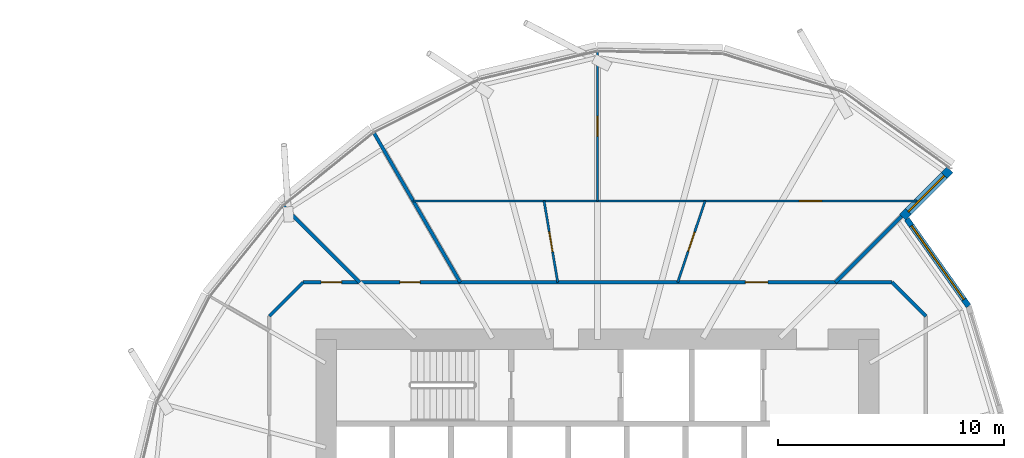
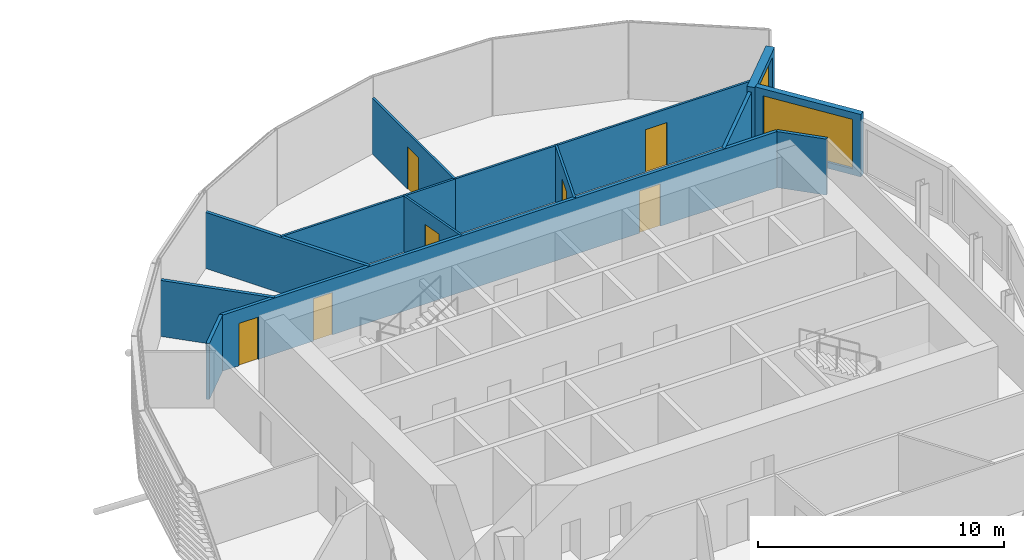
# One storey, part 24 of 36: 13 walls, 7 doors, 2 windows, 9 openings.
"""IFC4 building model written with IfcOpenShell, lengths in metres."""

import ifcopenshell
import ifcopenshell.guid

model = None  # the IFC model being written
_history = None  # IfcOwnerHistory: only IFC2X3 demands one
_inside = {}  # id of a spatial element -> (the spatial element, [elements in it])
_under = {}  # id of a project, library or spatial element -> (it, [spatial elements below it])
_declared = {}  # id of a project -> (the project, [libraries it declares])
_typed = {}  # id of a type object -> (the type object, [elements of that type])
_made_of = {}  # id of a material, layer set ... -> (it, [elements and type objects made of it])


def new_model(schema):
    """Start an empty IFC model of exactly this schema.

    Asked for "IFC4X3", IfcOpenShell would pick the latest addendum, in which some entities
    have other attributes; the version numbers below select the first issue.
    IFC2X3 requires an IfcOwnerHistory on every rooted entity: one is made here for all.
    """
    global model, _history
    if schema == "IFC4X3":
        model = ifcopenshell.file(schema_version=(4, 3, 0, 0))
    else:
        model = ifcopenshell.file(schema=schema)
    _inside.clear()
    _under.clear()
    _declared.clear()
    _typed.clear()
    _made_of.clear()
    _history = None
    if model.schema == "IFC2X3":
        org = make("IfcOrganization", Name="unknown")
        user = make(
            "IfcPersonAndOrganization",
            ThePerson=make("IfcPerson", FamilyName="unknown"),
            TheOrganization=org,
        )
        app = make(
            "IfcApplication",
            ApplicationDeveloper=org,
            Version="unknown",
            ApplicationFullName="unknown",
            ApplicationIdentifier="unknown",
        )
        _history = make(
            "IfcOwnerHistory",
            OwningUser=user,
            OwningApplication=app,
            ChangeAction="ADDED",
            CreationDate=0,
        )
    return model


def make(cls, **values):
    """One entity of the class cls with the attributes given. An attribute that is None is left unset."""
    return model.create_entity(
        cls, **{name: value for name, value in values.items() if value is not None}
    )


def rooted(cls, **values):
    """An entity with a GlobalId (a new one), such as an element, a storey or a relation."""
    return make(cls, GlobalId=ifcopenshell.guid.new(), OwnerHistory=_history, **values)


def si_unit(unit_type, name, prefix=None):
    """IfcSIUnit, for example si_unit("LENGTHUNIT", "METRE", prefix="MILLI")."""
    return make("IfcSIUnit", UnitType=unit_type, Prefix=prefix, Name=name)


def assignment(units):
    """IfcUnitAssignment: the units of a project."""
    return None if units is None else make("IfcUnitAssignment", Units=units)


def point(xyz):
    """IfcCartesianPoint."""
    return None if xyz is None else make("IfcCartesianPoint", Coordinates=xyz)


def direction(xyz):
    """IfcDirection."""
    return None if xyz is None else make("IfcDirection", DirectionRatios=xyz)


def frame(location, z_axis=None, x_axis=None):
    """IfcAxis2Placement3D, a coordinate frame: its origin and axes. An axis left out is left unset."""
    return make(
        "IfcAxis2Placement3D",
        Location=point(location),
        Axis=direction(z_axis),
        RefDirection=direction(x_axis),
    )


def frame_2d(location, x_axis=None):
    """IfcAxis2Placement2D, a coordinate frame in the plane: its origin and x axis."""
    return make(
        "IfcAxis2Placement2D", Location=point(location), RefDirection=direction(x_axis)
    )


def origin():
    """The frame at (0, 0, 0) with its axes left unset."""
    return frame((0.0, 0.0, 0.0))


def place(relative_to, where):
    """IfcLocalPlacement: puts the frame where relative to a parent placement (None: the world)."""
    return make(
        "IfcLocalPlacement", PlacementRelTo=relative_to, RelativePlacement=where
    )


def context(
    kind, dimensions, precision=None, world=None, true_north=None, identifier=None
):
    """IfcGeometricRepresentationContext, for example the 3D "Model" context."""
    return make(
        "IfcGeometricRepresentationContext",
        ContextIdentifier=identifier,
        ContextType=kind,
        CoordinateSpaceDimension=dimensions,
        Precision=precision,
        WorldCoordinateSystem=world,
        TrueNorth=true_north,
    )


def subcontext(parent, identifier, kind, view, scale=None):
    """IfcGeometricRepresentationSubContext, for example "Body" below "Model"."""
    return make(
        "IfcGeometricRepresentationSubContext",
        ContextIdentifier=identifier,
        ContextType=kind,
        ParentContext=parent,
        TargetScale=scale,
        TargetView=view,
    )


def project(units=None, contexts=None):
    """IfcProject with its units and contexts."""
    return rooted(
        "IfcProject",
        Name="project",
        RepresentationContexts=contexts,
        UnitsInContext=assignment(units),
    )


def spatial(cls, under=None, at=None, **own):
    """A site, building, storey or space (cls), placed at a placement, below another one or the project."""
    s = rooted(cls, ObjectPlacement=at, **own)
    if under is not None:
        _under.setdefault(under.id(), (under, []))[1].append(s)
    return s


def profile(cls, at=None, kind="AREA", **sizes):
    """A parametric profile (cls). Its sizes go by their IFC names, for example OverallWidth=200.0."""
    return make(cls, ProfileType=kind, Position=at, **sizes)


def rectangle(**sizes):
    """IfcRectangleProfileDef."""
    return profile("IfcRectangleProfileDef", **sizes)


def extrude(swept, where, along, depth):
    """IfcExtrudedAreaSolid: the profile swept, set in the frame where, extruded along a direction by depth."""
    return make(
        "IfcExtrudedAreaSolid",
        SweptArea=swept,
        Position=where,
        ExtrudedDirection=direction(along),
        Depth=depth,
    )


def shape(context_of_items, identifier, shape_type, items):
    """IfcShapeRepresentation: the items that make up one representation, for example the "Body"."""
    return make(
        "IfcShapeRepresentation",
        ContextOfItems=context_of_items,
        RepresentationIdentifier=identifier,
        RepresentationType=shape_type,
        Items=items,
    )


def material(Name=None, Category=None):
    """IfcMaterial."""
    return make("IfcMaterial", Name=Name, Category=Category)


def layer(
    of_material, thickness, ventilated=None, Name=None, Category=None, Priority=None
):
    """IfcMaterialLayer: one layer of a wall or slab, of a material (None: an air gap)."""
    return make(
        "IfcMaterialLayer",
        Material=of_material,
        LayerThickness=thickness,
        IsVentilated=ventilated,
        Name=Name,
        Category=Category,
        Priority=Priority,
    )


def layer_set(layers, Name=None):
    """IfcMaterialLayerSet."""
    return make("IfcMaterialLayerSet", MaterialLayers=layers, LayerSetName=Name)


def made_of(thing, what):
    """Note that an element or type object is made of a material, layer set ...; save() writes the relation."""
    if what is not None:
        _made_of.setdefault(what.id(), (what, []))[1].append(thing)
    return thing


def type_object(cls, material=None, **own):
    """A type object (cls), such as IfcWallType, which elements share."""
    return made_of(rooted(cls, **own), material)


def element(
    cls,
    number,
    at=None,
    inside=None,
    cuts=None,
    type_object=None,
    material=None,
    context=None,
    identifier="Body",
    shape_type=None,
    held_by="IfcProductDefinitionShape",
    body=None,
    shapes=None,
    **own,
):
    """One element of the class cls, such as IfcWall. Its Tag is "e" and its number.

    at: its placement. inside: the storey or other place that contains it. cuts: it is an
    opening in that element (IfcRelVoidsElement). A single representation is given by context,
    identifier, shape_type and body (its items); several are given by shapes. held_by: the class
    of the entity that holds the representations. save() writes the other relations.
    """
    e = rooted(cls, Tag="e%d" % number, ObjectPlacement=at, **own)
    if body is not None:
        shapes = [shape(context, identifier, shape_type, body)]
    if shapes is not None:
        e.Representation = make(held_by, Representations=shapes)
    if inside is not None:
        _inside.setdefault(inside.id(), (inside, []))[1].append(e)
    if cuts is not None:
        rooted(
            "IfcRelVoidsElement", RelatingBuildingElement=cuts, RelatedOpeningElement=e
        )
    if type_object is not None:
        _typed.setdefault(type_object.id(), (type_object, []))[1].append(e)
    return made_of(e, material)


def fill(opening, filler):
    """IfcRelFillsElement: the door or window that sits in an opening."""
    return rooted(
        "IfcRelFillsElement",
        RelatingOpeningElement=opening,
        RelatedBuildingElement=filler,
    )


def aggregate(whole, parts):
    """IfcRelAggregates: a whole, such as a stair, and the parts it consists of."""
    return rooted("IfcRelAggregates", RelatingObject=whole, RelatedObjects=parts)


def save(model, path):
    """Write the relations noted so far, then the file.

    IfcRelAggregates (storeys below a building ...), IfcRelContainedInSpatialStructure (elements
    in a storey), IfcRelDefinesByType, IfcRelAssociatesMaterial and IfcRelDeclares: one each for
    every whole, place, type object, material and project.
    """
    for whole, parts in _under.values():
        aggregate(whole, parts)
    for where, things in _inside.values():
        rooted(
            "IfcRelContainedInSpatialStructure",
            RelatedElements=things,
            RelatingStructure=where,
        )
    for kind, things in _typed.values():
        rooted("IfcRelDefinesByType", RelatedObjects=things, RelatingType=kind)
    for what, things in _made_of.values():
        rooted("IfcRelAssociatesMaterial", RelatedObjects=things, RelatingMaterial=what)
    for by, libraries in _declared.values():
        rooted("IfcRelDeclares", RelatingContext=by, RelatedDefinitions=libraries)
    model.write(path)


model = new_model("IFC4")

# Units and contexts
model_context = context("Model", 3, precision=1e-05, world=origin(), true_north=direction((0.0, 1.0)))
body_context = subcontext(model_context, "Body", "Model", "MODEL_VIEW")
ifc_project = project(units=[si_unit("LENGTHUNIT", "METRE"), si_unit("AREAUNIT", "SQUARE_METRE"), si_unit("VOLUMEUNIT", "CUBIC_METRE"), si_unit("PLANEANGLEUNIT", "RADIAN"), si_unit("MASSUNIT", "GRAM", prefix="KILO")], contexts=[model_context])

# Site, building, storey
site_placement = place(None, origin())
site = spatial("IfcSite", under=ifc_project, at=site_placement, CompositionType="ELEMENT")
building_placement = place(site_placement, origin())
building = spatial("IfcBuilding", under=site, at=building_placement, Name="Rimbun Link Towers", CompositionType="ELEMENT")
storey_placement = place(building_placement, frame((0.0, 0.0, 37.60009765625)))
storey = spatial("IfcBuildingStorey", under=building, at=storey_placement, Name="L08", CompositionType="ELEMENT", Elevation=37.60009765625)

# Wall, opening, window
ifc_material_1 = material(Name="Dark enamelled glass spandrel on insulated aluminium backpan", Category="aluminium")
ifc_layer_1 = layer(ifc_material_1, 0.25)
ifc_layer_set_1 = layer_set([ifc_layer_1], Name="CS dark enamelled spandrel wall 250")
wall_type_1 = type_object("IfcWallType", Name="CS dark enamelled spandrel wall 250", PredefinedType="STANDARD", material=ifc_layer_set_1)
wall_1_placement = place(storey_placement, frame((45.430419921875, 13.326904296875, 0.0), z_axis=(0.0, 0.0, 1.0), x_axis=(0.578853291803, -0.815431705643, 0.0)))
wall_1 = element("IfcWall", 1, at=wall_1_placement, inside=storey, type_object=wall_type_1, Name="Crease spandrel wall", PredefinedType="STANDARD", context=body_context, shape_type="SweptSolid", body=[
    extrude(rectangle(XDim=4.73046875, YDim=0.25, at=frame_2d((2.365234375, 0.0))), origin(), (0.0, 0.0, 1.0), 3.0966796875),
])
opening_1_placement = place(wall_1_placement, frame((0.365234375, 0.0, 0.300048828125)))
opening_1 = element("IfcOpeningElement", 2, at=opening_1_placement, cuts=wall_1, Name="Opening WR40H245", PredefinedType="OPENING", context=body_context, shape_type="SweptSolid", body=[
    extrude(rectangle(XDim=4.0, YDim=2.449951171875, at=frame_2d((2.0, 1.22509765625))), frame((0.0, 0.135009765625, 0.0), z_axis=(0.0, -1.0, 0.0), x_axis=(1.0, 0.0, 0.0)), (0.0, 0.0, 1.0), 0.27001953125),
])
ifc_material_2 = material(Name="Aluminium framed fixed window, dark tinted low-e glass", Category="aluminium")
window_type_1 = type_object("IfcWindowType", Name="WR ribbon window 4000X2450", PartitioningType="SINGLE_PANEL", PredefinedType="WINDOW", material=ifc_material_2)
window_1_placement = place(opening_1_placement, origin())
window_1 = element("IfcWindow", 3, at=window_1_placement, inside=storey, type_object=window_type_1, Name="Crease ribbon window", OverallHeight=2.449951171875, OverallWidth=4.0, PartitioningType="SINGLE_PANEL", PredefinedType="WINDOW", context=body_context, shape_type="SweptSolid", body=[
    extrude(rectangle(XDim=4.0, YDim=2.449951171875, at=frame_2d((2.0, 1.22509765625))), frame((0.0, 0.030029296875, 0.0), z_axis=(0.0, -1.0, 0.0), x_axis=(1.0, 0.0, 0.0)), (0.0, 0.0, 1.0), 0.06005859375),
])
fill(opening_1, window_1)

ifc_material_3 = material(Name="Dark enamelled glass spandrel on insulated aluminium backpan", Category="aluminium")
ifc_layer_2 = layer(ifc_material_3, 0.3701171875)
ifc_layer_set_2 = layer_set([ifc_layer_2], Name="CS dark enamelled spandrel wall 370")
wall_type_2 = type_object("IfcWallType", Name="CS dark enamelled spandrel wall 370", PredefinedType="STANDARD", material=ifc_layer_set_2)
wall_2_placement = place(storey_placement, frame((47.34716796875, 15.505126953125, 0.0), z_axis=(0.0, 0.0, 1.0), x_axis=(-0.707106781187, -0.707106781187, 0.0)))
wall_2 = element("IfcWall", 4, at=wall_2_placement, inside=storey, type_object=wall_type_2, Name="Crease spandrel wall", PredefinedType="STANDARD", context=body_context, shape_type="SweptSolid", body=[
    extrude(rectangle(XDim=2.97998046875, YDim=0.3701171875, at=frame_2d((1.489990234375, 0.0))), origin(), (0.0, 0.0, 1.0), 3.02734375),
])
opening_2_placement = place(wall_2_placement, frame((0.364990234375, 0.0, 0.300048828125)))
opening_2 = element("IfcOpeningElement", 5, at=opening_2_placement, cuts=wall_2, Name="Opening WR22H245", PredefinedType="OPENING", context=body_context, shape_type="SweptSolid", body=[
    extrude(rectangle(XDim=2.25, YDim=2.449951171875, at=frame_2d((1.125, 1.22509765625))), frame((0.0, 0.195068359375, 0.0), z_axis=(0.0, -1.0, 0.0), x_axis=(1.0, 0.0, 0.0)), (0.0, 0.0, 1.0), 0.39013671875),
])
ifc_material_4 = material(Name="Aluminium framed fixed window, dark tinted low-e glass", Category="aluminium")
window_type_2 = type_object("IfcWindowType", Name="WR ribbon window 2250X2450", PartitioningType="SINGLE_PANEL", PredefinedType="WINDOW", material=ifc_material_4)
window_2_placement = place(opening_2_placement, origin())
window_2 = element("IfcWindow", 6, at=window_2_placement, inside=storey, type_object=window_type_2, Name="Crease ribbon window", OverallHeight=2.449951171875, OverallWidth=2.25, PartitioningType="SINGLE_PANEL", PredefinedType="WINDOW", context=body_context, shape_type="SweptSolid", body=[
    extrude(rectangle(XDim=2.25, YDim=2.449951171875, at=frame_2d((1.125, 1.22509765625))), frame((0.0, 0.030029296875, 0.0), z_axis=(0.0, -1.0, 0.0), x_axis=(1.0, 0.0, 0.0)), (0.0, 0.0, 1.0), 0.06005859375),
])
fill(opening_2, window_2)

# Wall, openings, doors
ifc_material_5 = material(Name="Plasterboard on steel stud, mineral wool", Category="steel")
ifc_layer_3 = layer(ifc_material_5, 0.14990234375)
ifc_layer_set_3 = layer_set([ifc_layer_3], Name="Corridor wall EI 30 150 mm")
wall_type_3 = type_object("IfcWallType", Name="Corridor wall EI 30 150 mm", PredefinedType="PARTITIONING", material=ifc_layer_set_3)
wall_3_placement = place(storey_placement, frame((18.723388671875, 10.52490234375, 0.0), z_axis=(0.0, 0.0, 1.0), x_axis=(1.0, 0.0, 0.0)))
wall_3 = element("IfcWall", 7, at=wall_3_placement, inside=storey, type_object=wall_type_3, Name="Corridor wall EI 30 150 mm", PredefinedType="PARTITIONING", context=body_context, shape_type="SweptSolid", body=[
    extrude(rectangle(XDim=26.05322265625, YDim=0.14990234375, at=frame_2d((13.026611328125, 0.0))), origin(), (0.0, 0.0, 1.0), 2.77880859375),
])
opening_3_placement = place(wall_3_placement, frame((19.5625, 0.0, 0.0)))
opening_3 = element("IfcOpeningElement", 8, at=opening_3_placement, cuts=wall_3, Name="Opening D01", PredefinedType="OPENING", context=body_context, shape_type="SweptSolid", body=[
    extrude(rectangle(XDim=1.0, YDim=2.10009765625, at=frame_2d((0.5, 1.050048828125))), frame((0.0, 0.0849609375, 0.0), z_axis=(0.0, -1.0, 0.0), x_axis=(1.0, 0.0, 0.0)), (0.0, 0.0, 1.0), 0.169921875),
])
opening_4_placement = place(wall_3_placement, frame((4.27587890625, 0.0, 0.0)))
opening_4 = element("IfcOpeningElement", 9, at=opening_4_placement, cuts=wall_3, Name="Opening D02", PredefinedType="OPENING", context=body_context, shape_type="SweptSolid", body=[
    extrude(rectangle(XDim=0.89990234375, YDim=2.10009765625, at=frame_2d((0.449951171875, 1.050048828125))), frame((0.0, 0.0849609375, 0.0), z_axis=(0.0, -1.0, 0.0), x_axis=(1.0, 0.0, 0.0)), (0.0, 0.0, 1.0), 0.169921875),
])
opening_5_placement = place(wall_3_placement, frame((0.80078125, 0.0, 0.0)))
opening_5 = element("IfcOpeningElement", 10, at=opening_5_placement, cuts=wall_3, Name="Opening D02", PredefinedType="OPENING", context=body_context, shape_type="SweptSolid", body=[
    extrude(rectangle(XDim=0.89990234375, YDim=2.10009765625, at=frame_2d((0.449951171875, 1.050048828125))), frame((0.0, 0.0849609375, 0.0), z_axis=(0.0, -1.0, 0.0), x_axis=(1.0, 0.0, 0.0)), (0.0, 0.0, 1.0), 0.169921875),
])
ifc_material_6 = material(Name="Fire-resisting timber door leaf", Category="wood")
door_type_1 = type_object("IfcDoorType", Name="Fire door FD30S 1000", OperationType="NOTDEFINED", PredefinedType="DOOR", material=ifc_material_6)
door_1_placement = place(opening_3_placement, origin())
door_1 = element("IfcDoor", 11, at=door_1_placement, inside=storey, type_object=door_type_1, Name="Fire door FD30S 1000 to Reception", OperationType="SINGLE_SWING_LEFT", OverallHeight=2.10009765625, OverallWidth=1.0, PredefinedType="DOOR", context=body_context, shape_type="SweptSolid", body=[
    extrude(rectangle(XDim=1.0, YDim=2.10009765625, at=frame_2d((0.5, 1.050048828125))), frame((0.0, 0.02490234375, 0.0), z_axis=(0.0, -1.0, 0.0), x_axis=(1.0, 0.0, 0.0)), (0.0, 0.0, 1.0), 0.050048828125),
])
fill(opening_3, door_1)
ifc_material_7 = material(Name="Fire-resisting timber door leaf", Category="wood")
door_type_2 = type_object("IfcDoorType", Name="Fire door FD30S 900", OperationType="NOTDEFINED", PredefinedType="DOOR", material=ifc_material_7)
door_2_placement = place(opening_4_placement, origin())
door_2 = element("IfcDoor", 12, at=door_2_placement, inside=storey, type_object=door_type_2, Name="Fire door FD30S 900 to Print room", OperationType="SINGLE_SWING_RIGHT", OverallHeight=2.10009765625, OverallWidth=0.89990234375, PredefinedType="DOOR", context=body_context, shape_type="SweptSolid", body=[
    extrude(rectangle(XDim=0.89990234375, YDim=2.10009765625, at=frame_2d((0.449951171875, 1.050048828125))), frame((0.0, 0.02490234375, 0.0), z_axis=(0.0, -1.0, 0.0), x_axis=(1.0, 0.0, 0.0)), (0.0, 0.0, 1.0), 0.050048828125),
])
fill(opening_4, door_2)
door_3_placement = place(opening_5_placement, origin())
door_3 = element("IfcDoor", 13, at=door_3_placement, inside=storey, type_object=door_type_2, Name="Fire door FD30S 900 to Cellular office", OperationType="SINGLE_SWING_LEFT", OverallHeight=2.10009765625, OverallWidth=0.89990234375, PredefinedType="DOOR", context=body_context, shape_type="SweptSolid", body=[
    extrude(rectangle(XDim=0.89990234375, YDim=2.10009765625, at=frame_2d((0.449951171875, 1.050048828125))), frame((0.0, 0.02490234375, 0.0), z_axis=(0.0, -1.0, 0.0), x_axis=(1.0, 0.0, 0.0)), (0.0, 0.0, 1.0), 0.050048828125),
])
fill(opening_5, door_3)

# Walls
for number, where, z_axis, x_axis, name in (
    (14, (46.27490234375, 9.026611328125, 0.0), (0.0, 0.0, 1.0), (-0.707106781187, 0.707106781187, 0.0), "Corridor wall EI 30 150 mm"),
    (15, (18.723388671875, 10.52490234375, 0.0), (0.0, 0.0, 1.0), (-0.707106781187, -0.707106781187, 0.0), "Corridor wall EI 30 150 mm"),
):
    element("IfcWall", number, at=place(storey_placement, frame(where, z_axis=z_axis, x_axis=x_axis)), inside=storey, type_object=wall_type_3, Name=name, PredefinedType="PARTITIONING", context=body_context, shape_type="SweptSolid", body=[
        extrude(rectangle(XDim=2.118896484375, YDim=0.14990234375, at=frame_2d((1.0595703125, 0.0))), origin(), (0.0, 0.0, 1.0), 2.77880859375),
    ])

# Wall, opening, door
ifc_material_8 = material(Name="Plasterboard on steel stud", Category="steel")
ifc_layer_4 = layer(ifc_material_8, 0.10009765625)
ifc_layer_set_4 = layer_set([ifc_layer_4], Name="Plasterboard partition 100 mm")
wall_type_4 = type_object("IfcWallType", Name="Plasterboard partition 100 mm", PredefinedType="PARTITIONING", material=ifc_layer_set_4)
wall_4_placement = place(storey_placement, frame((35.29638671875, 10.52490234375, 0.0), z_axis=(0.0, 0.0, 1.0), x_axis=(0.319330046256, 0.947643562506, 0.0)))
wall_4 = element("IfcWall", 16, at=wall_4_placement, inside=storey, type_object=wall_type_4, Name="Plasterboard partition 100 mm", PredefinedType="PARTITIONING", context=body_context, shape_type="SweptSolid", body=[
    extrude(rectangle(XDim=3.799072265625, YDim=0.10009765625, at=frame_2d((1.8994140625, 0.0))), origin(), (0.0, 0.0, 1.0), 2.77880859375),
])
opening_6_placement = place(wall_4_placement, frame((1.449462890625, 0.0, 0.0)))
opening_6 = element("IfcOpeningElement", 17, at=opening_6_placement, cuts=wall_4, Name="Opening D04", PredefinedType="OPENING", context=body_context, shape_type="SweptSolid", body=[
    extrude(rectangle(XDim=0.89990234375, YDim=2.10009765625, at=frame_2d((0.449951171875, 1.050048828125))), frame((0.0, 0.06005859375, 0.0), z_axis=(0.0, -1.0, 0.0), x_axis=(1.0, 0.0, 0.0)), (0.0, 0.0, 1.0), 0.1201171875),
])
ifc_material_9 = material(Name="Timber door leaf", Category="wood")
door_type_3 = type_object("IfcDoorType", Name="Flush door 900", OperationType="NOTDEFINED", PredefinedType="DOOR", material=ifc_material_9)
door_4_placement = place(opening_6_placement, origin())
door_4 = element("IfcDoor", 18, at=door_4_placement, inside=storey, type_object=door_type_3, Name="Flush door 900 to Meeting room", OperationType="SINGLE_SWING_LEFT", OverallHeight=2.10009765625, OverallWidth=0.89990234375, PredefinedType="DOOR", context=body_context, shape_type="SweptSolid", body=[
    extrude(rectangle(XDim=0.89990234375, YDim=2.10009765625, at=frame_2d((0.449951171875, 1.050048828125))), frame((0.0, 0.02490234375, 0.0), z_axis=(0.0, -1.0, 0.0), x_axis=(1.0, 0.0, 0.0)), (0.0, 0.0, 1.0), 0.050048828125),
])
fill(opening_6, door_4)

wall_5_placement = place(storey_placement, frame((31.75, 14.125, 0.0), z_axis=(0.0, 0.0, 1.0), x_axis=(1.0, 0.0, 0.0)))
wall_5 = element("IfcWall", 19, at=wall_5_placement, inside=storey, type_object=wall_type_4, Name="Plasterboard partition 100 mm", PredefinedType="PARTITIONING", context=body_context, shape_type="SweptSolid", body=[
    extrude(rectangle(XDim=14.125, YDim=0.10009765625, at=frame_2d((7.0625, 0.0))), origin(), (0.0, 0.0, 1.0), 2.77880859375),
])
opening_7_placement = place(wall_5_placement, frame((8.926513671875, 0.0, 0.0)))
opening_7 = element("IfcOpeningElement", 20, at=opening_7_placement, cuts=wall_5, Name="Opening D03", PredefinedType="OPENING", context=body_context, shape_type="SweptSolid", body=[
    extrude(rectangle(XDim=1.0, YDim=2.10009765625, at=frame_2d((0.5, 1.050048828125))), frame((0.0, 0.06005859375, 0.0), z_axis=(0.0, -1.0, 0.0), x_axis=(1.0, 0.0, 0.0)), (0.0, 0.0, 1.0), 0.1201171875),
])
ifc_material_10 = material(Name="Timber door leaf", Category="wood")
door_type_4 = type_object("IfcDoorType", Name="Flush door 1000", OperationType="NOTDEFINED", PredefinedType="DOOR", material=ifc_material_10)
door_5_placement = place(opening_7_placement, origin())
door_5 = element("IfcDoor", 21, at=door_5_placement, inside=storey, type_object=door_type_4, Name="Flush door 1000 to Co-working space", OperationType="SINGLE_SWING_RIGHT", OverallHeight=2.10009765625, OverallWidth=1.0, PredefinedType="DOOR", context=body_context, shape_type="SweptSolid", body=[
    extrude(rectangle(XDim=1.0, YDim=2.10009765625, at=frame_2d((0.5, 1.050048828125))), frame((0.0, 0.02490234375, 0.0), z_axis=(0.0, -1.0, 0.0), x_axis=(1.0, 0.0, 0.0)), (0.0, 0.0, 1.0), 0.050048828125),
])
fill(opening_7, door_5)

wall_6_placement = place(storey_placement, frame((29.9873046875, 10.52490234375, 0.0), z_axis=(0.0, 0.0, 1.0), x_axis=(-0.165136472475, 0.98627072625, 0.0)))
wall_6 = element("IfcWall", 22, at=wall_6_placement, inside=storey, type_object=wall_type_4, Name="Plasterboard partition 100 mm", PredefinedType="PARTITIONING", context=body_context, shape_type="SweptSolid", body=[
    extrude(rectangle(XDim=3.650146484375, YDim=0.10009765625, at=frame_2d((1.8251953125, 0.0))), origin(), (0.0, 0.0, 1.0), 2.77880859375),
])
opening_8_placement = place(wall_6_placement, frame((1.375, 0.0, 0.0)))
opening_8 = element("IfcOpeningElement", 23, at=opening_8_placement, cuts=wall_6, Name="Opening D04", PredefinedType="OPENING", context=body_context, shape_type="SweptSolid", body=[
    extrude(rectangle(XDim=0.89990234375, YDim=2.10009765625, at=frame_2d((0.449951171875, 1.050048828125))), frame((0.0, 0.06005859375, 0.0), z_axis=(0.0, -1.0, 0.0), x_axis=(1.0, 0.0, 0.0)), (0.0, 0.0, 1.0), 0.1201171875),
])
door_6_placement = place(opening_8_placement, origin())
door_6 = element("IfcDoor", 24, at=door_6_placement, inside=storey, type_object=door_type_3, Name="Flush door 900 to Pantry", OperationType="SINGLE_SWING_RIGHT", OverallHeight=2.10009765625, OverallWidth=0.89990234375, PredefinedType="DOOR", context=body_context, shape_type="SweptSolid", body=[
    extrude(rectangle(XDim=0.89990234375, YDim=2.10009765625, at=frame_2d((0.449951171875, 1.050048828125))), frame((0.0, 0.02490234375, 0.0), z_axis=(0.0, -1.0, 0.0), x_axis=(1.0, 0.0, 0.0)), (0.0, 0.0, 1.0), 0.050048828125),
])
fill(opening_8, door_6)

# Wall
wall_7_placement = place(storey_placement, frame((31.75, 14.125, 0.0), z_axis=(0.0, 0.0, 1.0), x_axis=(-1.0, 0.0, 0.0)))
element("IfcWall", 25, at=wall_7_placement, inside=storey, type_object=wall_type_4, Name="Plasterboard partition 100 mm", PredefinedType="PARTITIONING", context=body_context, shape_type="SweptSolid", body=[
    extrude(rectangle(XDim=8.155029296875, YDim=0.10009765625, at=frame_2d((4.07763671875, 0.0))), origin(), (0.0, 0.0, 1.0), 2.77880859375),
])

# Wall, opening, door
wall_8_placement = place(storey_placement, frame((31.75, 14.125, 0.0), z_axis=(0.0, 0.0, 1.0), x_axis=(0.0, 1.0, 0.0)))
wall_8 = element("IfcWall", 26, at=wall_8_placement, inside=storey, type_object=wall_type_4, Name="Plasterboard partition 100 mm", PredefinedType="PARTITIONING", context=body_context, shape_type="SweptSolid", body=[
    extrude(rectangle(XDim=6.6083984375, YDim=0.10009765625, at=frame_2d((3.30419921875, 0.0))), origin(), (0.0, 0.0, 1.0), 2.77880859375),
])
opening_9_placement = place(wall_8_placement, frame((2.854248046875, 0.0, 0.0)))
opening_9 = element("IfcOpeningElement", 27, at=opening_9_placement, cuts=wall_8, Name="Opening D04", PredefinedType="OPENING", context=body_context, shape_type="SweptSolid", body=[
    extrude(rectangle(XDim=0.89990234375, YDim=2.10009765625, at=frame_2d((0.449951171875, 1.050048828125))), frame((0.0, 0.06005859375, 0.0), z_axis=(0.0, -1.0, 0.0), x_axis=(1.0, 0.0, 0.0)), (0.0, 0.0, 1.0), 0.1201171875),
])
door_7_placement = place(opening_9_placement, origin())
door_7 = element("IfcDoor", 28, at=door_7_placement, inside=storey, type_object=door_type_3, Name="Flush door 900 to Serviced office", OperationType="SINGLE_SWING_LEFT", OverallHeight=2.10009765625, OverallWidth=0.89990234375, PredefinedType="DOOR", context=body_context, shape_type="SweptSolid", body=[
    extrude(rectangle(XDim=0.89990234375, YDim=2.10009765625, at=frame_2d((0.449951171875, 1.050048828125))), frame((0.0, 0.02490234375, 0.0), z_axis=(0.0, -1.0, 0.0), x_axis=(1.0, 0.0, 0.0)), (0.0, 0.0, 1.0), 0.050048828125),
])
fill(opening_9, door_7)

# Walls
ifc_material_11 = material(Name="Plasterboard on steel stud, mineral wool", Category="steel")
ifc_layer_5 = layer(ifc_material_11, 0.14990234375)
ifc_layer_set_5 = layer_set([ifc_layer_5], Name="Tenancy separation wall EI 60 150 mm")
wall_type_5 = type_object("IfcWallType", Name="Tenancy separation wall EI 60 150 mm", PredefinedType="PARTITIONING", material=ifc_layer_set_5)
wall_9_placement = place(storey_placement, frame((42.27490234375, 10.52490234375, 0.0), z_axis=(0.0, 0.0, 1.0), x_axis=(0.707106781187, 0.707106781187, 0.0)))
element("IfcWall", 29, at=wall_9_placement, inside=storey, type_object=wall_type_5, Name="Tenancy separation wall EI 60 150 mm", PredefinedType="PARTITIONING", context=body_context, shape_type="SweptSolid", body=[
    extrude(rectangle(XDim=4.12841796875, YDim=0.14990234375, at=frame_2d((2.064208984375, 0.0))), origin(), (0.0, 0.0, 1.0), 2.77880859375),
])
wall_10_placement = place(storey_placement, frame((25.67333984375, 10.52490234375, 0.0), z_axis=(0.0, 0.0, 1.0), x_axis=(-0.499997376803, 0.866026918282, 0.0)))
element("IfcWall", 30, at=wall_10_placement, inside=storey, type_object=wall_type_5, Name="Tenancy separation wall EI 60 150 mm", PredefinedType="PARTITIONING", context=body_context, shape_type="SweptSolid", body=[
    extrude(rectangle(XDim=7.6357421875, YDim=0.14990234375, at=frame_2d((3.81787109375, 0.0))), origin(), (0.0, 0.0, 1.0), 2.77880859375),
])
wall_11_placement = place(storey_placement, frame((21.22509765625, 10.52490234375, 0.0), z_axis=(0.0, 0.0, 1.0), x_axis=(-0.707106781187, 0.707106781187, 0.0)))
element("IfcWall", 31, at=wall_11_placement, inside=storey, type_object=wall_type_5, Name="Tenancy separation wall EI 60 150 mm", PredefinedType="PARTITIONING", context=body_context, shape_type="SweptSolid", body=[
    extrude(rectangle(XDim=4.769775390625, YDim=0.14990234375, at=frame_2d((2.384765625, 0.0))), origin(), (0.0, 0.0, 1.0), 2.77880859375),
])

save(model, "model.ifc")
